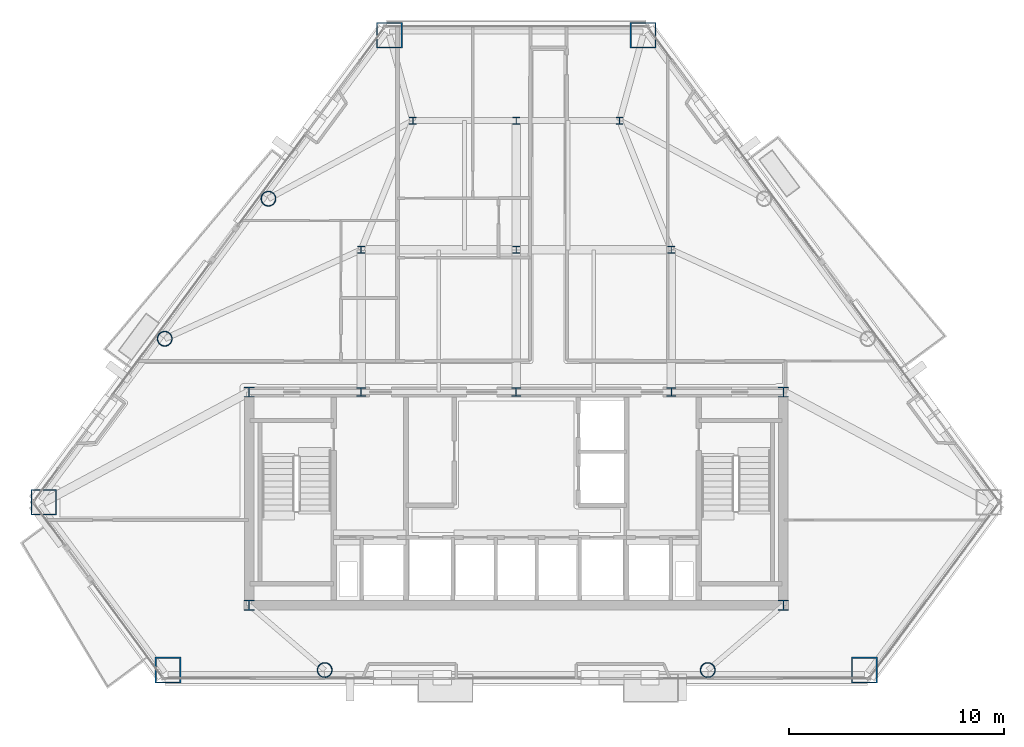
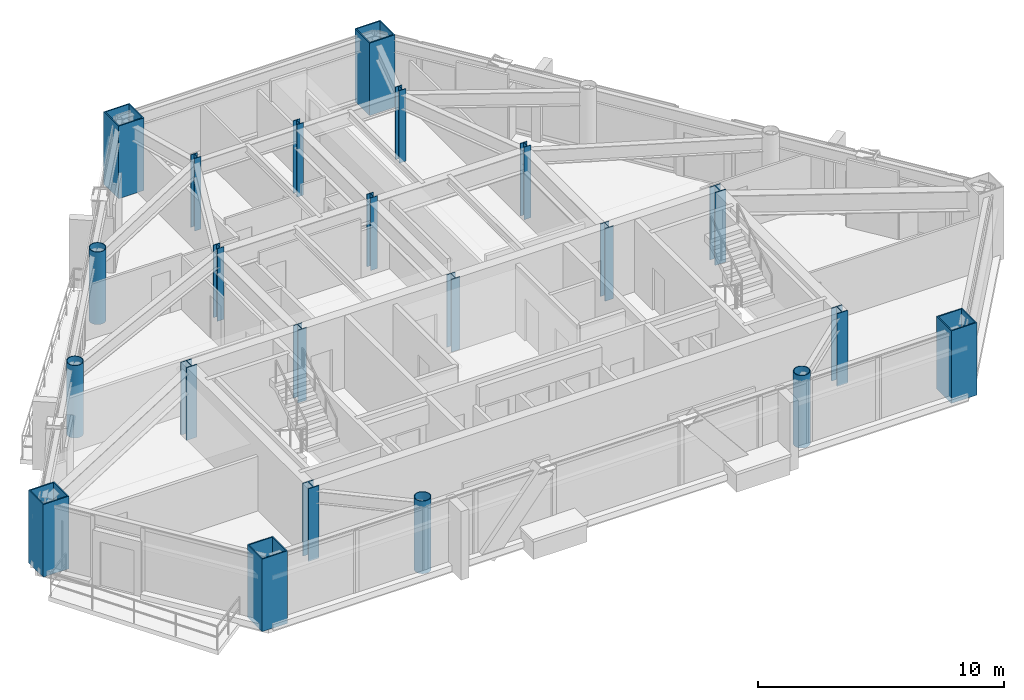
# One storey, part 1 of 13: 22 columns.
"""IFC4 building model written with IfcOpenShell, lengths in metres."""

from ifc_helpers import new_model, si_unit, direction, frame, origin, origin_2d, place, context, subcontext, project, spatial, hollow_rectangle, hollow_circle, i_section, extrude, material, material_profile, profile_set, type_object, element, save


model = new_model("IFC4")

# Units and contexts
model_context = context("Model", 3, precision=1e-05, world=origin(), true_north=direction((0.0, 1.0)))
body_context = subcontext(model_context, "Body", "Model", "MODEL_VIEW")
ifc_project = project(units=[si_unit("LENGTHUNIT", "METRE"), si_unit("AREAUNIT", "SQUARE_METRE"), si_unit("VOLUMEUNIT", "CUBIC_METRE"), si_unit("PLANEANGLEUNIT", "RADIAN"), si_unit("MASSUNIT", "GRAM", prefix="KILO")], contexts=[model_context])

# Site, building, storey
site_placement = place(None, origin())
site = spatial("IfcSite", under=ifc_project, at=site_placement, CompositionType="ELEMENT")
building_placement = place(site_placement, origin())
building = spatial("IfcBuilding", under=site, at=building_placement, Name="Talgorran Terracotta Tower", CompositionType="ELEMENT")
storey_placement = place(building_placement, frame((0.0, 0.0, 106.800048828125)))
storey = spatial("IfcBuildingStorey", under=building, at=storey_placement, Name="L27", CompositionType="ELEMENT", Elevation=106.800048828125)

# Columns
ifc_material_1 = material(Name="Steel S355 (300PLUS)", Category="steel")
ifc_material_profile_1 = material_profile(ifc_material_1, i_section(OverallWidth=0.311279296875, OverallDepth=0.3271484375, WebThickness=0.015625, FlangeThickness=0.02490234375, at=origin_2d()), Name="310UC158")
ifc_profile_set_1 = profile_set([ifc_material_profile_1], Name="Steel S355 (300PLUS)")
column_type_1 = type_object("IfcColumnType", Name="COL_310UC158", PredefinedType="COLUMN", material=ifc_profile_set_1)
for number, where, z_axis, x_axis, name in (
    (1, (-7.199951171875, 2.39990234375, 0.0), (0.0, 0.0, 1.0), (1.0, 0.0, 0.0), "L27 Interior Gravity Column IC1"),
    (2, (0.0, 2.39990234375, 0.0), (0.0, 0.0, 1.0), (1.0, 0.0, 0.0), "L27 Interior Gravity Column IC2"),
    (3, (7.199951171875, 2.39990234375, 0.0), (0.0, 0.0, 1.0), (1.0, 0.0, 0.0), "L27 Interior Gravity Column IC3"),
    (4, (-4.800048828125, 8.39990234375, 0.0), (0.0, 0.0, 1.0), (1.0, 0.0, 0.0), "L27 Interior Gravity Column IC4"),
    (5, (0.0, 8.39990234375, 0.0), (0.0, 0.0, 1.0), (1.0, 0.0, 0.0), "L27 Interior Gravity Column IC5"),
    (6, (4.800048828125, 8.39990234375, 0.0), (0.0, 0.0, 1.0), (1.0, 0.0, 0.0), "L27 Interior Gravity Column IC6"),
):
    element("IfcColumn", number, at=place(storey_placement, frame(where, z_axis=z_axis, x_axis=x_axis)), inside=storey, type_object=column_type_1, Name=name, PredefinedType="COLUMN", context=body_context, shape_type="SweptSolid", body=[
        extrude(i_section(OverallWidth=0.311279296875, OverallDepth=0.3271484375, WebThickness=0.015625, FlangeThickness=0.02490234375, at=origin_2d()), origin(), (0.0, 0.0, 1.0), 3.599853515625),
    ])
ifc_material_profile_2 = material_profile(ifc_material_1, i_section(OverallWidth=0.5, OverallDepth=0.48193359375, WebThickness=0.0400390625, FlangeThickness=0.044921875, at=origin_2d()), Name="500WC440")
ifc_profile_set_2 = profile_set([ifc_material_profile_2], Name="Steel S355 (300PLUS)")
column_type_2 = type_object("IfcColumnType", Name="COL_500WC440", PredefinedType="COLUMN", material=ifc_profile_set_2)
for number, where, z_axis, x_axis, name in (
    (7, (-12.39990234375, -14.10009765625, 0.0), (0.0, 0.0, 1.0), (1.0, 0.0, 0.0), "L27 Core Boundary Column CC1"),
    (8, (12.39990234375, -14.10009765625, 0.0), (0.0, 0.0, 1.0), (1.0, 0.0, 0.0), "L27 Core Boundary Column CC2"),
    (9, (12.39990234375, -4.199951171875, 0.0), (0.0, 0.0, 1.0), (1.0, 0.0, 0.0), "L27 Core Boundary Column CC3"),
    (10, (-12.39990234375, -4.199951171875, 0.0), (0.0, 0.0, 1.0), (1.0, 0.0, 0.0), "L27 Core Boundary Column CC4"),
):
    element("IfcColumn", number, at=place(storey_placement, frame(where, z_axis=z_axis, x_axis=x_axis)), inside=storey, type_object=column_type_2, Name=name, PredefinedType="COLUMN", context=body_context, shape_type="SweptSolid", body=[
        extrude(i_section(OverallWidth=0.5, OverallDepth=0.48193359375, WebThickness=0.0400390625, FlangeThickness=0.044921875, at=origin_2d()), origin(), (0.0, 0.0, 1.0), 3.599853515625),
    ])
ifc_material_2 = material(Name="Steel Grade 350 (350L0)", Category="steel")
ifc_material_profile_3 = material_profile(ifc_material_2, hollow_rectangle(XDim=1.199951171875, YDim=1.199951171875, WallThickness=0.054931640625, at=origin_2d()), Name="CFT1200X1200X55")
ifc_profile_set_3 = profile_set([ifc_material_profile_3], Name="Steel Grade 350 (350L0)")
column_type_3 = type_object("IfcColumnType", Name="COL_CFT_1200", PredefinedType="COLUMN", material=ifc_profile_set_3)
for number, where, z_axis, x_axis, name in (
    (11, (-21.934326171875, -9.315673828125, 0.0), (0.0, 0.0, 1.0), (1.0, 0.0, 0.0), "L27 Corner CFT Mega-Column MC1"),
    (12, (-16.1669921875, -17.10791015625, 0.0), (0.0, 0.0, 1.0), (1.0, 0.0, 0.0), "L27 Corner CFT Mega-Column MC2"),
    (13, (16.1669921875, -17.10791015625, 0.0), (0.0, 0.0, 1.0), (1.0, 0.0, 0.0), "L27 Corner CFT Mega-Column MC3"),
    (14, (5.889892578125, 12.3623046875, 0.0), (0.0, 0.0, 1.0), (1.0, 0.0, 0.0), "L27 Corner CFT Mega-Column MC5"),
    (15, (-5.889892578125, 12.3623046875, 0.0), (0.0, 0.0, 1.0), (1.0, 0.0, 0.0), "L27 Corner CFT Mega-Column MC6"),
):
    element("IfcColumn", number, at=place(storey_placement, frame(where, z_axis=z_axis, x_axis=x_axis)), inside=storey, type_object=column_type_3, Name=name, PredefinedType="COLUMN", context=body_context, shape_type="SweptSolid", body=[
        extrude(hollow_rectangle(XDim=1.199951171875, YDim=1.199951171875, WallThickness=0.054931640625, at=origin_2d()), origin(), (0.0, 0.0, 1.0), 3.599853515625),
    ])
ifc_material_profile_4 = material_profile(ifc_material_2, hollow_circle(Radius=0.35009765625, WallThickness=0.030029296875, at=origin_2d()), Name="CHS700X30")
ifc_profile_set_4 = profile_set([ifc_material_profile_4], Name="Steel Grade 350 (350L0)")
column_type_4 = type_object("IfcColumnType", Name="COL_CHS_700", PredefinedType="COLUMN", material=ifc_profile_set_4)
for number, where, z_axis, x_axis, name in (
    (16, (-8.891845703125, -17.10791015625, 0.0), (0.0, 0.0, 1.0), (1.0, 0.0, 0.0), "L27 Facet Perimeter Column FC1"),
    (17, (8.891845703125, -17.10791015625, 0.0), (0.0, 0.0, 1.0), (1.0, 0.0, 0.0), "L27 Facet Perimeter Column FC2"),
    (18, (-11.505615234375, 4.77490234375, 0.0), (0.0, 0.0, 1.0), (1.0, 0.0, 0.0), "L27 Facet Perimeter Column FC5"),
    (19, (-16.31884765625, -1.728515625, 0.0), (0.0, 0.0, 1.0), (1.0, 0.0, 0.0), "L27 Facet Perimeter Column FC6"),
):
    element("IfcColumn", number, at=place(storey_placement, frame(where, z_axis=z_axis, x_axis=x_axis)), inside=storey, type_object=column_type_4, Name=name, PredefinedType="COLUMN", context=body_context, shape_type="SweptSolid", body=[
        extrude(hollow_circle(Radius=0.35009765625, WallThickness=0.030029296875, at=origin_2d()), origin(), (0.0, 0.0, 1.0), 3.599853515625),
    ])
ifc_material_profile_5 = material_profile(ifc_material_1, i_section(OverallWidth=0.405029296875, OverallDepth=0.4140625, WebThickness=0.02197265625, FlangeThickness=0.031982421875, at=origin_2d()), Name="400WC270")
ifc_profile_set_5 = profile_set([ifc_material_profile_5], Name="Steel S355 (300PLUS)")
column_type_5 = type_object("IfcColumnType", Name="COL_PIL_400WC270", PredefinedType="PILASTER", material=ifc_profile_set_5)
for number, where, z_axis, x_axis, name in (
    (20, (-7.199951171875, -4.199951171875, 0.0), (0.0, 0.0, 1.0), (1.0, 0.0, 0.0), "L27 Core Shear Pilaster CP1"),
    (21, (0.0, -4.199951171875, 0.0), (0.0, 0.0, 1.0), (1.0, 0.0, 0.0), "L27 Core Shear Pilaster CP2"),
    (22, (7.199951171875, -4.199951171875, 0.0), (0.0, 0.0, 1.0), (1.0, 0.0, 0.0), "L27 Core Shear Pilaster CP3"),
):
    element("IfcColumn", number, at=place(storey_placement, frame(where, z_axis=z_axis, x_axis=x_axis)), inside=storey, type_object=column_type_5, Name=name, PredefinedType="PILASTER", context=body_context, shape_type="SweptSolid", body=[
        extrude(i_section(OverallWidth=0.405029296875, OverallDepth=0.4140625, WebThickness=0.02197265625, FlangeThickness=0.031982421875, at=origin_2d()), origin(), (0.0, 0.0, 1.0), 3.599853515625),
    ])

save(model, "model.ifc")
